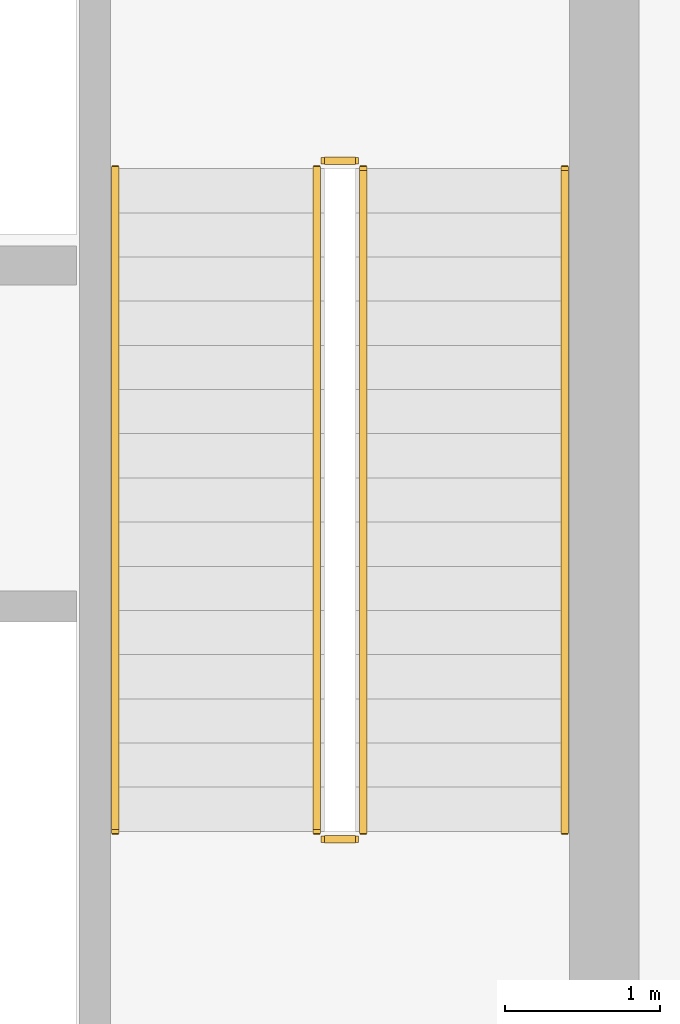
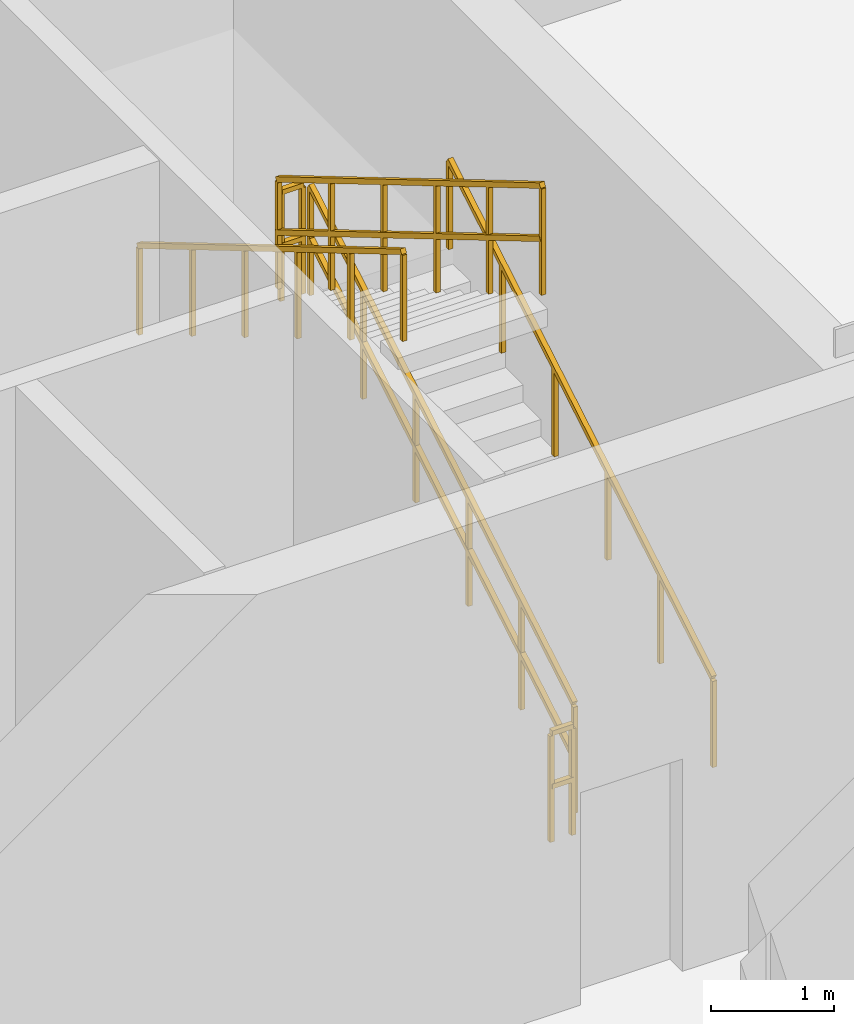
# One storey, part 12 of 12: 6 railings.
"""IFC4 building model written with IfcOpenShell, lengths in metres."""

from ifc_helpers import new_model, si_unit, direction, frame, origin, origin_2d, place, context, subcontext, project, spatial, rectangle, extrude, material, type_object, element, save


model = new_model("IFC4")

# Units and contexts
model_context = context("Model", 3, precision=1e-05, world=origin(), true_north=direction((0.0, 1.0)))
body_context = subcontext(model_context, "Body", "Model", "MODEL_VIEW")
ifc_project = project(units=[si_unit("LENGTHUNIT", "METRE"), si_unit("AREAUNIT", "SQUARE_METRE"), si_unit("VOLUMEUNIT", "CUBIC_METRE"), si_unit("PLANEANGLEUNIT", "RADIAN"), si_unit("MASSUNIT", "GRAM", prefix="KILO")], contexts=[model_context])

# Site, building, storey
site_placement = place(None, origin())
site = spatial("IfcSite", under=ifc_project, at=site_placement, CompositionType="ELEMENT")
building_placement = place(site_placement, origin())
building = spatial("IfcBuilding", under=site, at=building_placement, Name="Varnel Quay Broadcast Tower", CompositionType="ELEMENT")
storey_placement = place(building_placement, frame((0.0, 0.0, 11.39990234375)))
storey = spatial("IfcBuildingStorey", under=building, at=storey_placement, Name="L02", CompositionType="ELEMENT", Elevation=11.39990234375)

# Railings
ifc_material = material(Name="Painted Steel Guard and Handrail CSA G40.21 350W", Category="steel")
railing_type_1 = type_object("IfcRailingType", Name="Rail_StairGuard1100", PredefinedType="GUARDRAIL", material=ifc_material)
railing_1_placement = place(storey_placement, frame((50.64990234375, 37.75, 0.1689453125)))
element("IfcRailing", 1, at=railing_1_placement, inside=storey, type_object=railing_type_1, Name="L02 ST-02 stair guard 1", PredefinedType="GUARDRAIL", context=body_context, shape_type="SweptSolid", body=[
    extrude(rectangle(XDim=0.048095703125, YDim=0.048095703125, at=origin_2d()), frame((0.0, 0.0, 1.076171875), z_axis=(0.0, 0.860470286479, 0.509500624227), x_axis=(-1.0, 0.0, 0.0)), (0.0, 0.0, 1.0), 4.968017578125),
    extrude(rectangle(XDim=0.048095703125, YDim=0.048095703125, at=origin_2d()), frame((0.0, 0.0, 0.550048828125), z_axis=(0.0, 0.860470286479, 0.509500624227), x_axis=(-1.0, 0.0, 0.0)), (0.0, 0.0, 1.0), 4.968017578125),
    extrude(rectangle(XDim=0.0419921875, YDim=0.0419921875, at=origin_2d()), origin(), (0.0, 0.0, 1.0), 1.052001953125),
    extrude(rectangle(XDim=0.0419921875, YDim=0.0419921875, at=origin_2d()), frame((0.0, 0.85498046875, 0.50634765625)), (0.0, 0.0, 1.0), 1.052001953125),
    extrude(rectangle(XDim=0.0419921875, YDim=0.0419921875, at=origin_2d()), frame((0.0, 1.7099609375, 1.012451171875)), (0.0, 0.0, 1.0), 1.052001953125),
    extrude(rectangle(XDim=0.0419921875, YDim=0.0419921875, at=origin_2d()), frame((0.0, 2.56494140625, 1.518798828125)), (0.0, 0.0, 1.0), 1.052001953125),
    extrude(rectangle(XDim=0.0419921875, YDim=0.0419921875, at=origin_2d()), frame((0.0, 3.419921875, 2.02490234375)), (0.0, 0.0, 1.0), 1.052001953125),
    extrude(rectangle(XDim=0.0419921875, YDim=0.0419921875, at=origin_2d()), frame((0.0, 4.27490234375, 2.53125)), (0.0, 0.0, 1.0), 1.052001953125),
])
railing_2_placement = place(storey_placement, frame((50.60009765625, 42.074951171875, 2.7001953125)))
element("IfcRailing", 2, at=railing_2_placement, inside=storey, type_object=railing_type_1, Name="L02 ST-02 stair guard 2", PredefinedType="GUARDRAIL", context=body_context, shape_type="SweptSolid", body=[
    extrude(rectangle(XDim=0.048095703125, YDim=0.048095703125, at=origin_2d()), frame((0.0, 0.0, 1.076171875), z_axis=(-1.0, 0.0, 0.0), x_axis=(0.0, -1.0, 0.0)), (0.0, 0.0, 1.0), 0.2001953125),
    extrude(rectangle(XDim=0.048095703125, YDim=0.048095703125, at=origin_2d()), frame((0.0, 0.0, 0.550048828125), z_axis=(-1.0, 0.0, 0.0), x_axis=(0.0, -1.0, 0.0)), (0.0, 0.0, 1.0), 0.2001953125),
    extrude(rectangle(XDim=0.0419921875, YDim=0.0419921875, at=origin_2d()), origin(), (0.0, 0.0, 1.0), 1.052001953125),
    extrude(rectangle(XDim=0.0419921875, YDim=0.0419921875, at=origin_2d()), frame((-0.2001953125, 0.0, 0.0)), (0.0, 0.0, 1.0), 1.052001953125),
])
railing_3_placement = place(storey_placement, frame((50.35009765625, 42.02490234375, 2.868896484375)))
element("IfcRailing", 3, at=railing_3_placement, inside=storey, type_object=railing_type_1, Name="L02 ST-02 stair guard 3", PredefinedType="GUARDRAIL", context=body_context, shape_type="SweptSolid", body=[
    extrude(rectangle(XDim=0.048095703125, YDim=0.048095703125, at=origin_2d()), frame((0.0, 0.0, 1.076171875), z_axis=(0.0, -0.860470286479, 0.509500624227), x_axis=(1.0, 0.0, 0.0)), (0.0, 0.0, 1.0), 4.968017578125),
    extrude(rectangle(XDim=0.048095703125, YDim=0.048095703125, at=origin_2d()), frame((0.0, 0.0, 0.550048828125), z_axis=(0.0, -0.860470286479, 0.509500624227), x_axis=(1.0, 0.0, 0.0)), (0.0, 0.0, 1.0), 4.968017578125),
    extrude(rectangle(XDim=0.0419921875, YDim=0.0419921875, at=origin_2d()), origin(), (0.0, 0.0, 1.0), 1.052001953125),
    extrude(rectangle(XDim=0.0419921875, YDim=0.0419921875, at=origin_2d()), frame((0.0, -0.85498046875, 0.50634765625)), (0.0, 0.0, 1.0), 1.052001953125),
    extrude(rectangle(XDim=0.0419921875, YDim=0.0419921875, at=origin_2d()), frame((0.0, -1.7099609375, 1.012451171875)), (0.0, 0.0, 1.0), 1.052001953125),
    extrude(rectangle(XDim=0.0419921875, YDim=0.0419921875, at=origin_2d()), frame((0.0, -2.56494140625, 1.518798828125)), (0.0, 0.0, 1.0), 1.052001953125),
    extrude(rectangle(XDim=0.0419921875, YDim=0.0419921875, at=origin_2d()), frame((0.0, -3.419921875, 2.02490234375)), (0.0, 0.0, 1.0), 1.052001953125),
    extrude(rectangle(XDim=0.0419921875, YDim=0.0419921875, at=origin_2d()), frame((0.0, -4.27490234375, 2.53125)), (0.0, 0.0, 1.0), 1.052001953125),
])
railing_4_placement = place(storey_placement, frame((50.60009765625, 37.699951171875, 0.0)))
element("IfcRailing", 4, at=railing_4_placement, inside=storey, type_object=railing_type_1, Name="L02 ST-02 stair guard 4", PredefinedType="GUARDRAIL", context=body_context, shape_type="SweptSolid", body=[
    extrude(rectangle(XDim=0.048095703125, YDim=0.048095703125, at=origin_2d()), frame((0.0, 0.0, 1.076171875), z_axis=(-1.0, 0.0, 0.0), x_axis=(0.0, -1.0, 0.0)), (0.0, 0.0, 1.0), 0.2001953125),
    extrude(rectangle(XDim=0.048095703125, YDim=0.048095703125, at=origin_2d()), frame((0.0, 0.0, 0.550048828125), z_axis=(-1.0, 0.0, 0.0), x_axis=(0.0, -1.0, 0.0)), (0.0, 0.0, 1.0), 0.2001953125),
    extrude(rectangle(XDim=0.0419921875, YDim=0.0419921875, at=origin_2d()), origin(), (0.0, 0.0, 1.0), 1.052001953125),
    extrude(rectangle(XDim=0.0419921875, YDim=0.0419921875, at=origin_2d()), frame((-0.2001953125, 0.0, 0.0)), (0.0, 0.0, 1.0), 1.052001953125),
])
railing_type_2 = type_object("IfcRailingType", Name="Rail_StairHandrail900", PredefinedType="HANDRAIL", material=ifc_material)
railing_5_placement = place(storey_placement, frame((51.949951171875, 37.75, 0.1689453125)))
element("IfcRailing", 5, at=railing_5_placement, inside=storey, type_object=railing_type_2, Name="L02 ST-02 stair handrail 1", PredefinedType="HANDRAIL", context=body_context, shape_type="SweptSolid", body=[
    extrude(rectangle(XDim=0.048095703125, YDim=0.048095703125, at=origin_2d()), frame((0.0, 0.0, 0.8759765625), z_axis=(0.0, 0.860470286479, 0.509500624227), x_axis=(-1.0, 0.0, 0.0)), (0.0, 0.0, 1.0), 4.968017578125),
    extrude(rectangle(XDim=0.0419921875, YDim=0.0419921875, at=origin_2d()), origin(), (0.0, 0.0, 1.0), 0.851806640625),
    extrude(rectangle(XDim=0.0419921875, YDim=0.0419921875, at=origin_2d()), frame((0.0, 0.85498046875, 0.50634765625)), (0.0, 0.0, 1.0), 0.851806640625),
    extrude(rectangle(XDim=0.0419921875, YDim=0.0419921875, at=origin_2d()), frame((0.0, 1.7099609375, 1.012451171875)), (0.0, 0.0, 1.0), 0.851806640625),
    extrude(rectangle(XDim=0.0419921875, YDim=0.0419921875, at=origin_2d()), frame((0.0, 2.56494140625, 1.518798828125)), (0.0, 0.0, 1.0), 0.851806640625),
    extrude(rectangle(XDim=0.0419921875, YDim=0.0419921875, at=origin_2d()), frame((0.0, 3.419921875, 2.02490234375)), (0.0, 0.0, 1.0), 0.851806640625),
    extrude(rectangle(XDim=0.0419921875, YDim=0.0419921875, at=origin_2d()), frame((0.0, 4.27490234375, 2.53125)), (0.0, 0.0, 1.0), 0.851806640625),
])
railing_6_placement = place(storey_placement, frame((49.050048828125, 42.02490234375, 2.868896484375)))
element("IfcRailing", 6, at=railing_6_placement, inside=storey, type_object=railing_type_2, Name="L02 ST-02 stair handrail 2", PredefinedType="HANDRAIL", context=body_context, shape_type="SweptSolid", body=[
    extrude(rectangle(XDim=0.048095703125, YDim=0.048095703125, at=origin_2d()), frame((0.0, 0.0, 0.8759765625), z_axis=(0.0, -0.860470286479, 0.509500624227), x_axis=(1.0, 0.0, 0.0)), (0.0, 0.0, 1.0), 4.968017578125),
    extrude(rectangle(XDim=0.0419921875, YDim=0.0419921875, at=origin_2d()), origin(), (0.0, 0.0, 1.0), 0.851806640625),
    extrude(rectangle(XDim=0.0419921875, YDim=0.0419921875, at=origin_2d()), frame((0.0, -0.85498046875, 0.50634765625)), (0.0, 0.0, 1.0), 0.851806640625),
    extrude(rectangle(XDim=0.0419921875, YDim=0.0419921875, at=origin_2d()), frame((0.0, -1.7099609375, 1.012451171875)), (0.0, 0.0, 1.0), 0.851806640625),
    extrude(rectangle(XDim=0.0419921875, YDim=0.0419921875, at=origin_2d()), frame((0.0, -2.56494140625, 1.518798828125)), (0.0, 0.0, 1.0), 0.851806640625),
    extrude(rectangle(XDim=0.0419921875, YDim=0.0419921875, at=origin_2d()), frame((0.0, -3.419921875, 2.02490234375)), (0.0, 0.0, 1.0), 0.851806640625),
    extrude(rectangle(XDim=0.0419921875, YDim=0.0419921875, at=origin_2d()), frame((0.0, -4.27490234375, 2.53125)), (0.0, 0.0, 1.0), 0.851806640625),
])

save(model, "model.ifc")
